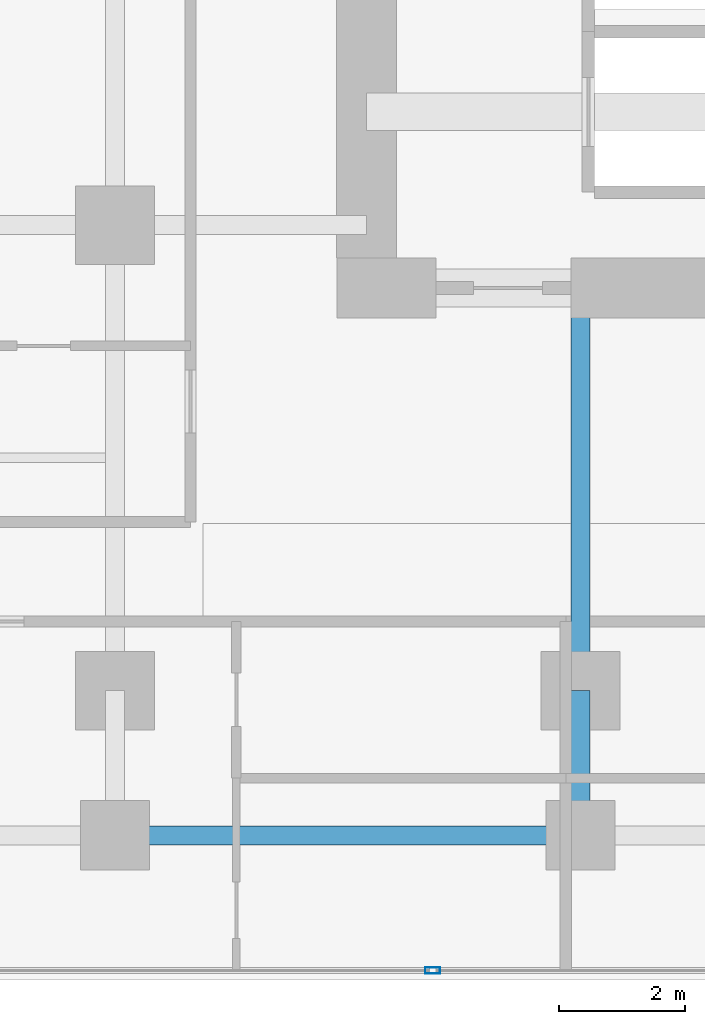
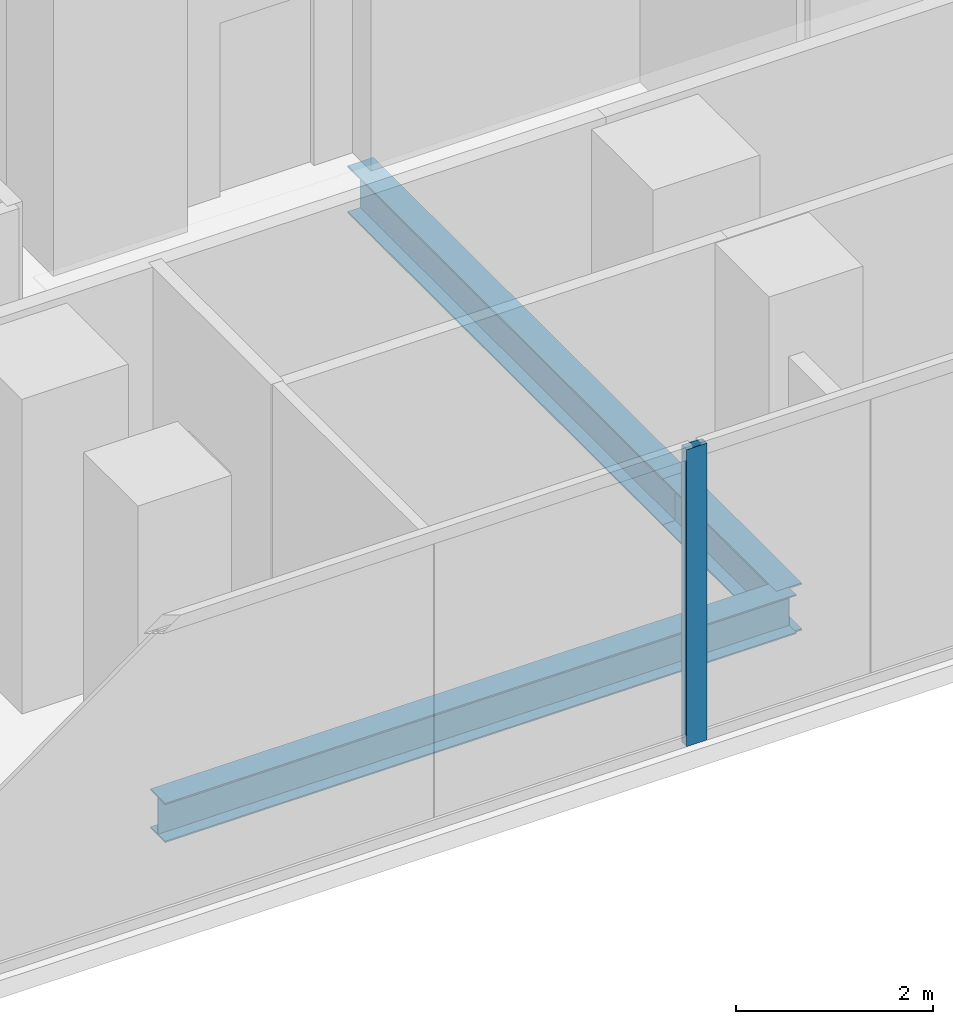
# One storey, part 5 of 32: 3 beams, 1 member, 1 element without a shape of its own.
"""IFC4 building model written with IfcOpenShell, lengths in metres."""

from ifc_helpers import new_model, si_unit, direction, frame, origin, origin_2d, place, context, subcontext, project, spatial, hollow_rectangle, i_section, extrude, material, layer, layer_set, material_profile, profile_set, type_object, element, aggregate, save


model = new_model("IFC4")

# Units and contexts
model_context = context("Model", 3, precision=1e-05, world=origin(), true_north=direction((0.0, 1.0)))
body_context = subcontext(model_context, "Body", "Model", "MODEL_VIEW")
ifc_project = project(units=[si_unit("LENGTHUNIT", "METRE"), si_unit("AREAUNIT", "SQUARE_METRE"), si_unit("VOLUMEUNIT", "CUBIC_METRE"), si_unit("PLANEANGLEUNIT", "RADIAN"), si_unit("MASSUNIT", "GRAM", prefix="KILO")], contexts=[model_context])

# Site, building, storey
site_placement = place(None, origin())
site = spatial("IfcSite", under=ifc_project, at=site_placement, CompositionType="ELEMENT")
building_placement = place(site_placement, origin())
building = spatial("IfcBuilding", under=site, at=building_placement, Name="Khorvyn Point Tower", CompositionType="ELEMENT")
storey_placement = place(building_placement, frame((0.0, 0.0, 93.0)))
storey = spatial("IfcBuildingStorey", under=building, at=storey_placement, Name="L23", CompositionType="ELEMENT", Elevation=93.0)

# Curtain wall, member
ifc_material_1 = material(Name="Anodised aluminium 6063-T6 and laminated Low-E glass", Category="aluminium")
ifc_layer = layer(ifc_material_1, 0.18994140625)
ifc_layer_set = layer_set([ifc_layer], Name="Stick-Built Finned Residential Curtain Wall CW-SYS-02")
curtain_wall_type = type_object("IfcCurtainWallType", Name="Stick-Built Finned Residential Curtain Wall CW-SYS-02", PredefinedType="NOTDEFINED", material=ifc_layer_set)
curtain_wall_placement = place(storey_placement, origin())
curtain_wall = element("IfcCurtainWall", 1, at=curtain_wall_placement, inside=storey, type_object=curtain_wall_type, Name="Curtain Wall", PredefinedType="NOTDEFINED")
ifc_material_2 = material(Name="Anodised aluminium 6063-T6", Category="aluminium")
ifc_material_profile_1 = material_profile(ifc_material_2, hollow_rectangle(XDim=0.10009765625, YDim=0.239990234375, WallThickness=0.0048828125, at=origin_2d()))
ifc_profile_set_1 = profile_set([ifc_material_profile_1], Name="Anodised aluminium 6063-T6 ALU-MUL-100x240")
member_type = type_object("IfcMemberType", Name="Anodised Aluminium 6063-T6 Mullion ALU-MUL-100x240", PredefinedType="MULLION", material=ifc_profile_set_1)
member_placement = place(storey_placement, frame((-9.75, -19.25, 0.0), z_axis=(0.0, 0.0, 1.0), x_axis=(0.0, -1.0, 0.0)))
member = element("IfcMember", 2, at=member_placement, type_object=member_type, Name="Transom", PredefinedType="MULLION", context=body_context, shape_type="SweptSolid", body=[
    extrude(hollow_rectangle(XDim=0.10009765625, YDim=0.239990234375, WallThickness=0.0048828125, at=origin_2d()), origin(), (0.0, 0.0, 1.0), 3.679931640625),
])
aggregate(curtain_wall, [member])

# Beams
ifc_material_3 = material(Name="Steel S355", Category="steel")
ifc_material_profile_2 = material_profile(ifc_material_3, i_section(OverallWidth=0.300048828125, OverallDepth=0.587890625, WebThickness=0.011962890625, FlangeThickness=0.02001953125, at=origin_2d()))
ifc_profile_set_2 = profile_set([ifc_material_profile_2], Name="Steel S355 H588x300x12x20")
beam_type_1 = type_object("IfcBeamType", Name="Steel S355 Beam H588x300x12x20", PredefinedType="BEAM", material=ifc_profile_set_2)
beam_1_placement = place(storey_placement, frame((-7.39990234375, -17.10009765625, -0.513916015625), z_axis=(0.0, 1.0, 0.0), x_axis=(-1.0, 0.0, 0.0)))
element("IfcBeam", 3, at=beam_1_placement, inside=storey, type_object=beam_type_1, Name="Beam", PredefinedType="BEAM", context=body_context, shape_type="SweptSolid", body=[
    extrude(i_section(OverallWidth=0.300048828125, OverallDepth=0.587890625, WebThickness=0.011962890625, FlangeThickness=0.02001953125, at=origin_2d()), origin(), (0.0, 0.0, 1.0), 2.300048828125),
])
beam_2_placement = place(storey_placement, frame((-7.39990234375, -14.800048828125, -0.513916015625), z_axis=(0.0, 1.0, 0.0), x_axis=(-1.0, 0.0, 0.0)))
element("IfcBeam", 4, at=beam_2_placement, inside=storey, type_object=beam_type_1, Name="Beam", PredefinedType="BEAM", context=body_context, shape_type="SweptSolid", body=[
    extrude(i_section(OverallWidth=0.300048828125, OverallDepth=0.587890625, WebThickness=0.011962890625, FlangeThickness=0.02001953125, at=origin_2d()), origin(), (0.0, 0.0, 1.0), 6.400146484375),
])
ifc_material_profile_3 = material_profile(ifc_material_3, i_section(OverallWidth=0.300048828125, OverallDepth=0.488037109375, WebThickness=0.010986328125, FlangeThickness=0.01806640625, at=origin_2d()))
ifc_profile_set_3 = profile_set([ifc_material_profile_3], Name="Steel S355 H488x300x11x18")
beam_type_2 = type_object("IfcBeamType", Name="Steel S355 Spandrel H488x300x11x18", PredefinedType="SPANDREL", material=ifc_profile_set_3)
beam_3_placement = place(storey_placement, frame((-14.800048828125, -17.10009765625, -0.464111328125), z_axis=(1.0, 0.0, 0.0), x_axis=(0.0, 1.0, 0.0)))
element("IfcBeam", 5, at=beam_3_placement, inside=storey, type_object=beam_type_2, Name="Beam", PredefinedType="SPANDREL", context=body_context, shape_type="SweptSolid", body=[
    extrude(i_section(OverallWidth=0.300048828125, OverallDepth=0.488037109375, WebThickness=0.010986328125, FlangeThickness=0.01806640625, at=origin_2d()), origin(), (0.0, 0.0, 1.0), 7.400146484375),
])

save(model, "model.ifc")
